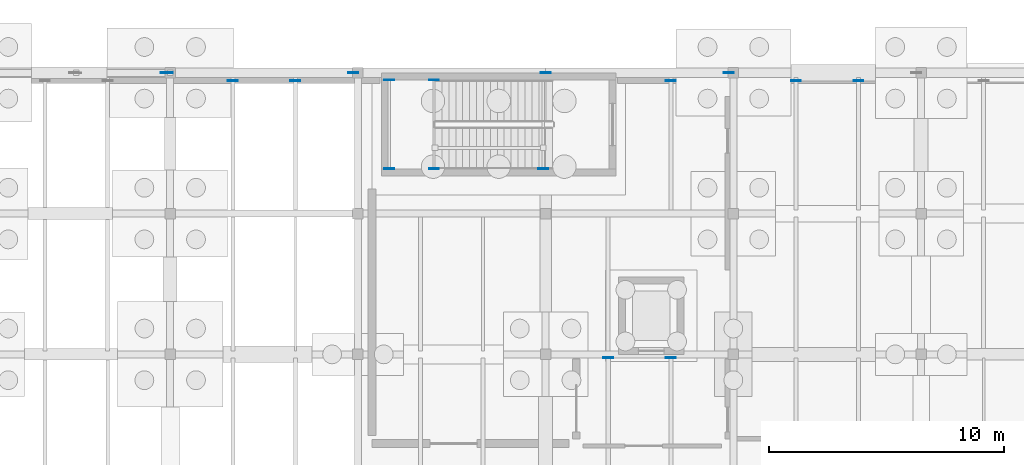
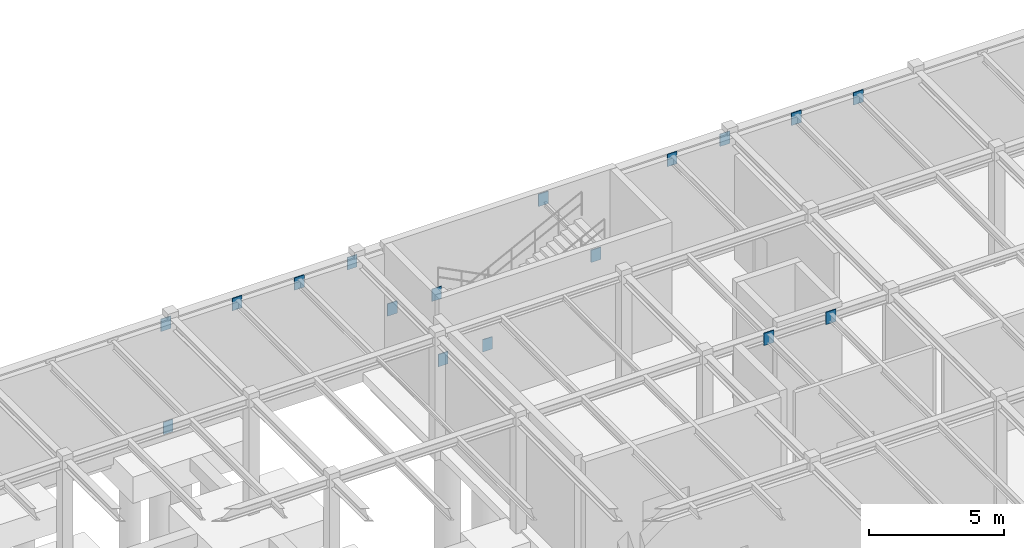
# One storey, part 40 of 71: 17 plates.
"""IFC4 building model written with IfcOpenShell, lengths in metres."""

import ifcopenshell
import ifcopenshell.guid

model = None  # the IFC model being written
_history = None  # IfcOwnerHistory: only IFC2X3 demands one
_inside = {}  # id of a spatial element -> (the spatial element, [elements in it])
_under = {}  # id of a project, library or spatial element -> (it, [spatial elements below it])
_declared = {}  # id of a project -> (the project, [libraries it declares])
_typed = {}  # id of a type object -> (the type object, [elements of that type])
_made_of = {}  # id of a material, layer set ... -> (it, [elements and type objects made of it])


def new_model(schema):
    """Start an empty IFC model of exactly this schema.

    Asked for "IFC4X3", IfcOpenShell would pick the latest addendum, in which some entities
    have other attributes; the version numbers below select the first issue.
    IFC2X3 requires an IfcOwnerHistory on every rooted entity: one is made here for all.
    """
    global model, _history
    if schema == "IFC4X3":
        model = ifcopenshell.file(schema_version=(4, 3, 0, 0))
    else:
        model = ifcopenshell.file(schema=schema)
    _inside.clear()
    _under.clear()
    _declared.clear()
    _typed.clear()
    _made_of.clear()
    _history = None
    if model.schema == "IFC2X3":
        org = make("IfcOrganization", Name="unknown")
        user = make(
            "IfcPersonAndOrganization",
            ThePerson=make("IfcPerson", FamilyName="unknown"),
            TheOrganization=org,
        )
        app = make(
            "IfcApplication",
            ApplicationDeveloper=org,
            Version="unknown",
            ApplicationFullName="unknown",
            ApplicationIdentifier="unknown",
        )
        _history = make(
            "IfcOwnerHistory",
            OwningUser=user,
            OwningApplication=app,
            ChangeAction="ADDED",
            CreationDate=0,
        )
    return model


def make(cls, **values):
    """One entity of the class cls with the attributes given. An attribute that is None is left unset."""
    return model.create_entity(
        cls, **{name: value for name, value in values.items() if value is not None}
    )


def rooted(cls, **values):
    """An entity with a GlobalId (a new one), such as an element, a storey or a relation."""
    return make(cls, GlobalId=ifcopenshell.guid.new(), OwnerHistory=_history, **values)


def si_unit(unit_type, name, prefix=None):
    """IfcSIUnit, for example si_unit("LENGTHUNIT", "METRE", prefix="MILLI")."""
    return make("IfcSIUnit", UnitType=unit_type, Prefix=prefix, Name=name)


def assignment(units):
    """IfcUnitAssignment: the units of a project."""
    return None if units is None else make("IfcUnitAssignment", Units=units)


def point(xyz):
    """IfcCartesianPoint."""
    return None if xyz is None else make("IfcCartesianPoint", Coordinates=xyz)


def direction(xyz):
    """IfcDirection."""
    return None if xyz is None else make("IfcDirection", DirectionRatios=xyz)


def frame(location, z_axis=None, x_axis=None):
    """IfcAxis2Placement3D, a coordinate frame: its origin and axes. An axis left out is left unset."""
    return make(
        "IfcAxis2Placement3D",
        Location=point(location),
        Axis=direction(z_axis),
        RefDirection=direction(x_axis),
    )


def frame_2d(location, x_axis=None):
    """IfcAxis2Placement2D, a coordinate frame in the plane: its origin and x axis."""
    return make(
        "IfcAxis2Placement2D", Location=point(location), RefDirection=direction(x_axis)
    )


def origin():
    """The frame at (0, 0, 0) with its axes left unset."""
    return frame((0.0, 0.0, 0.0))


def origin_2d():
    """The frame at (0, 0) in the plane with its x axis left unset."""
    return frame_2d((0.0, 0.0))


def place(relative_to, where):
    """IfcLocalPlacement: puts the frame where relative to a parent placement (None: the world)."""
    return make(
        "IfcLocalPlacement", PlacementRelTo=relative_to, RelativePlacement=where
    )


def context(
    kind, dimensions, precision=None, world=None, true_north=None, identifier=None
):
    """IfcGeometricRepresentationContext, for example the 3D "Model" context."""
    return make(
        "IfcGeometricRepresentationContext",
        ContextIdentifier=identifier,
        ContextType=kind,
        CoordinateSpaceDimension=dimensions,
        Precision=precision,
        WorldCoordinateSystem=world,
        TrueNorth=true_north,
    )


def subcontext(parent, identifier, kind, view, scale=None):
    """IfcGeometricRepresentationSubContext, for example "Body" below "Model"."""
    return make(
        "IfcGeometricRepresentationSubContext",
        ContextIdentifier=identifier,
        ContextType=kind,
        ParentContext=parent,
        TargetScale=scale,
        TargetView=view,
    )


def project(units=None, contexts=None):
    """IfcProject with its units and contexts."""
    return rooted(
        "IfcProject",
        Name="project",
        RepresentationContexts=contexts,
        UnitsInContext=assignment(units),
    )


def spatial(cls, under=None, at=None, **own):
    """A site, building, storey or space (cls), placed at a placement, below another one or the project."""
    s = rooted(cls, ObjectPlacement=at, **own)
    if under is not None:
        _under.setdefault(under.id(), (under, []))[1].append(s)
    return s


def profile(cls, at=None, kind="AREA", **sizes):
    """A parametric profile (cls). Its sizes go by their IFC names, for example OverallWidth=200.0."""
    return make(cls, ProfileType=kind, Position=at, **sizes)


def rectangle(**sizes):
    """IfcRectangleProfileDef."""
    return profile("IfcRectangleProfileDef", **sizes)


def extrude(swept, where, along, depth):
    """IfcExtrudedAreaSolid: the profile swept, set in the frame where, extruded along a direction by depth."""
    return make(
        "IfcExtrudedAreaSolid",
        SweptArea=swept,
        Position=where,
        ExtrudedDirection=direction(along),
        Depth=depth,
    )


def shape(context_of_items, identifier, shape_type, items):
    """IfcShapeRepresentation: the items that make up one representation, for example the "Body"."""
    return make(
        "IfcShapeRepresentation",
        ContextOfItems=context_of_items,
        RepresentationIdentifier=identifier,
        RepresentationType=shape_type,
        Items=items,
    )


def material(Name=None, Category=None):
    """IfcMaterial."""
    return make("IfcMaterial", Name=Name, Category=Category)


def layer(
    of_material, thickness, ventilated=None, Name=None, Category=None, Priority=None
):
    """IfcMaterialLayer: one layer of a wall or slab, of a material (None: an air gap)."""
    return make(
        "IfcMaterialLayer",
        Material=of_material,
        LayerThickness=thickness,
        IsVentilated=ventilated,
        Name=Name,
        Category=Category,
        Priority=Priority,
    )


def layer_set(layers, Name=None):
    """IfcMaterialLayerSet."""
    return make("IfcMaterialLayerSet", MaterialLayers=layers, LayerSetName=Name)


def made_of(thing, what):
    """Note that an element or type object is made of a material, layer set ...; save() writes the relation."""
    if what is not None:
        _made_of.setdefault(what.id(), (what, []))[1].append(thing)
    return thing


def type_object(cls, material=None, **own):
    """A type object (cls), such as IfcWallType, which elements share."""
    return made_of(rooted(cls, **own), material)


def element(
    cls,
    number,
    at=None,
    inside=None,
    cuts=None,
    type_object=None,
    material=None,
    context=None,
    identifier="Body",
    shape_type=None,
    held_by="IfcProductDefinitionShape",
    body=None,
    shapes=None,
    **own,
):
    """One element of the class cls, such as IfcWall. Its Tag is "e" and its number.

    at: its placement. inside: the storey or other place that contains it. cuts: it is an
    opening in that element (IfcRelVoidsElement). A single representation is given by context,
    identifier, shape_type and body (its items); several are given by shapes. held_by: the class
    of the entity that holds the representations. save() writes the other relations.
    """
    e = rooted(cls, Tag="e%d" % number, ObjectPlacement=at, **own)
    if body is not None:
        shapes = [shape(context, identifier, shape_type, body)]
    if shapes is not None:
        e.Representation = make(held_by, Representations=shapes)
    if inside is not None:
        _inside.setdefault(inside.id(), (inside, []))[1].append(e)
    if cuts is not None:
        rooted(
            "IfcRelVoidsElement", RelatingBuildingElement=cuts, RelatedOpeningElement=e
        )
    if type_object is not None:
        _typed.setdefault(type_object.id(), (type_object, []))[1].append(e)
    return made_of(e, material)


def aggregate(whole, parts):
    """IfcRelAggregates: a whole, such as a stair, and the parts it consists of."""
    return rooted("IfcRelAggregates", RelatingObject=whole, RelatedObjects=parts)


def save(model, path):
    """Write the relations noted so far, then the file.

    IfcRelAggregates (storeys below a building ...), IfcRelContainedInSpatialStructure (elements
    in a storey), IfcRelDefinesByType, IfcRelAssociatesMaterial and IfcRelDeclares: one each for
    every whole, place, type object, material and project.
    """
    for whole, parts in _under.values():
        aggregate(whole, parts)
    for where, things in _inside.values():
        rooted(
            "IfcRelContainedInSpatialStructure",
            RelatedElements=things,
            RelatingStructure=where,
        )
    for kind, things in _typed.values():
        rooted("IfcRelDefinesByType", RelatedObjects=things, RelatingType=kind)
    for what, things in _made_of.values():
        rooted("IfcRelAssociatesMaterial", RelatedObjects=things, RelatingMaterial=what)
    for by, libraries in _declared.values():
        rooted("IfcRelDeclares", RelatingContext=by, RelatedDefinitions=libraries)
    model.write(path)


model = new_model("IFC4")

# Units and contexts
model_context = context("Model", 3, precision=1e-05, world=origin(), true_north=direction((0.0, 1.0)))
body_context = subcontext(model_context, "Body", "Model", "MODEL_VIEW")
ifc_project = project(units=[si_unit("LENGTHUNIT", "METRE"), si_unit("AREAUNIT", "SQUARE_METRE"), si_unit("VOLUMEUNIT", "CUBIC_METRE"), si_unit("PLANEANGLEUNIT", "RADIAN"), si_unit("MASSUNIT", "GRAM", prefix="KILO")], contexts=[model_context])

# Site, building, storey
site_placement = place(None, origin())
site = spatial("IfcSite", under=ifc_project, at=site_placement, CompositionType="ELEMENT")
building_placement = place(site_placement, origin())
building = spatial("IfcBuilding", under=site, at=building_placement, Name="Sundkrona Museum", CompositionType="ELEMENT")
storey_placement = place(building_placement, frame((0.0, 0.0, -5.39990234375)))
storey = spatial("IfcBuildingStorey", under=building, at=storey_placement, Name="B1", CompositionType="ELEMENT", Elevation=-5.39990234375)

# Plates
ifc_material = material(Name="Steel S355J2", Category="steel")
ifc_layer = layer(ifc_material, 0.034912109375)
ifc_layer_set = layer_set([ifc_layer], Name="Steel S355J2")
plate_type = type_object("IfcPlateType", Name="EP-1", PredefinedType="USERDEFINED", material=ifc_layer_set)
for number, where, z_axis, x_axis, name in (
    (1, (48.0, 114.0, 4.554931640625), (0.0, 0.0, 1.0), (1.0, 0.0, 0.0), "Core Wall Cast-In Embed Plate BM-B1-X-0198-2"),
    (2, (50.666748046875, 101.85595703125, 4.679931640625), (0.0, 0.0, 1.0), (1.0, 0.0, 0.0), "Core Wall Cast-In Embed Plate JS-B1-0070-2"),
    (3, (53.333251953125, 101.85595703125, 4.699951171875), (0.0, 0.0, 1.0), (1.0, 0.0, 0.0), "Core Wall Cast-In Embed Plate JS-B1-0071-2"),
    (4, (41.339599609375, 109.909912109375, 2.099853515625), (0.0, 0.0, 1.0), (1.0, 0.0, 0.0), "Core Wall Cast-In Embed Plate BM-STLD-ST-3-B1-1A-1"),
    (5, (41.339599609375, 113.68994140625, 2.099853515625), (0.0, 0.0, 1.0), (1.0, 0.0, 0.0), "Core Wall Cast-In Embed Plate BM-STLD-ST-3-B1-1A-2"),
    (6, (43.245361328125, 109.909912109375, 2.099853515625), (0.0, 0.0, 1.0), (1.0, 0.0, 0.0), "Core Wall Cast-In Embed Plate BM-STLD-ST-3-B1-1B-1"),
    (7, (43.245361328125, 113.68994140625, 2.099853515625), (0.0, 0.0, 1.0), (1.0, 0.0, 0.0), "Core Wall Cast-In Embed Plate BM-STLD-ST-3-B1-1B-2"),
    (8, (47.89990234375, 109.909912109375, 4.5341796875), (0.0, 0.0, 1.0), (1.0, 0.0, 0.0), "Core Wall Cast-In Embed Plate BM-STHD-ST-3-B1-2-1"),
    (9, (31.800048828125, 114.0, 4.554931640625), (0.0, 0.0, 1.0), (1.0, 0.0, 0.0), "Structural Wall Cast-In Embed Plate BM-B1-X-0196-2"),
    (10, (39.800048828125, 114.0, 4.554931640625), (0.0, 0.0, 1.0), (1.0, 0.0, 0.0), "Structural Wall Cast-In Embed Plate BM-B1-X-0197-2"),
    (11, (55.800048828125, 114.0, 4.554931640625), (0.0, 0.0, 1.0), (1.0, 0.0, 0.0), "Structural Wall Cast-In Embed Plate BM-B1-X-0199-2"),
    (12, (34.666748046875, 113.664306640625, 4.699951171875), (0.0, 0.0, 1.0), (1.0, 0.0, 0.0), "Structural Wall Cast-In Embed Plate JS-B1-0056-2"),
    (13, (37.333251953125, 113.664306640625, 4.699951171875), (0.0, 0.0, 1.0), (1.0, 0.0, 0.0), "Structural Wall Cast-In Embed Plate JS-B1-0057-2"),
    (14, (53.333251953125, 113.664306640625, 4.699951171875), (0.0, 0.0, 1.0), (1.0, 0.0, 0.0), "Structural Wall Cast-In Embed Plate JS-B1-0073-2"),
    (15, (58.666748046875, 113.664306640625, 4.699951171875), (0.0, 0.0, 1.0), (1.0, 0.0, 0.0), "Structural Wall Cast-In Embed Plate JS-B1-0078-2"),
    (16, (61.333251953125, 113.664306640625, 4.699951171875), (0.0, 0.0, 1.0), (1.0, 0.0, 0.0), "Structural Wall Cast-In Embed Plate JS-B1-0079-2"),
    (17, (31.89990234375, 114.0, -0.15673828125), (0.0, 0.0, 1.0), (1.0, 0.0, 0.0), "Structural Wall Cast-In Embed Plate BR-B1-013B-1"),
):
    element("IfcPlate", number, at=place(storey_placement, frame(where, z_axis=z_axis, x_axis=x_axis)), inside=storey, type_object=plate_type, Name=name, ObjectType="GUSSET PLATE", PredefinedType="USERDEFINED", context=body_context, shape_type="SweptSolid", body=[
        extrude(rectangle(XDim=0.419921875, YDim=0.034912109375, at=origin_2d()), origin(), (0.0, 0.0, 1.0), 0.56005859375),
    ])

save(model, "model.ifc")
